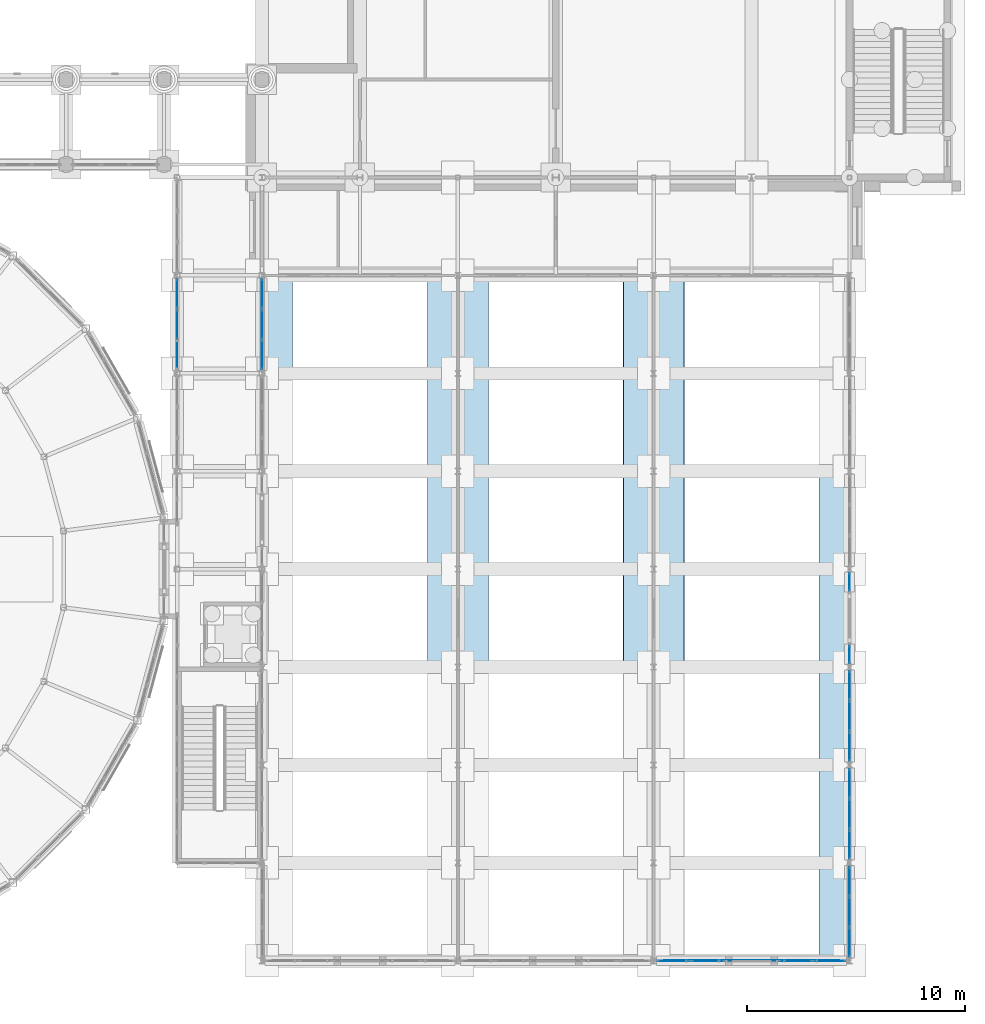
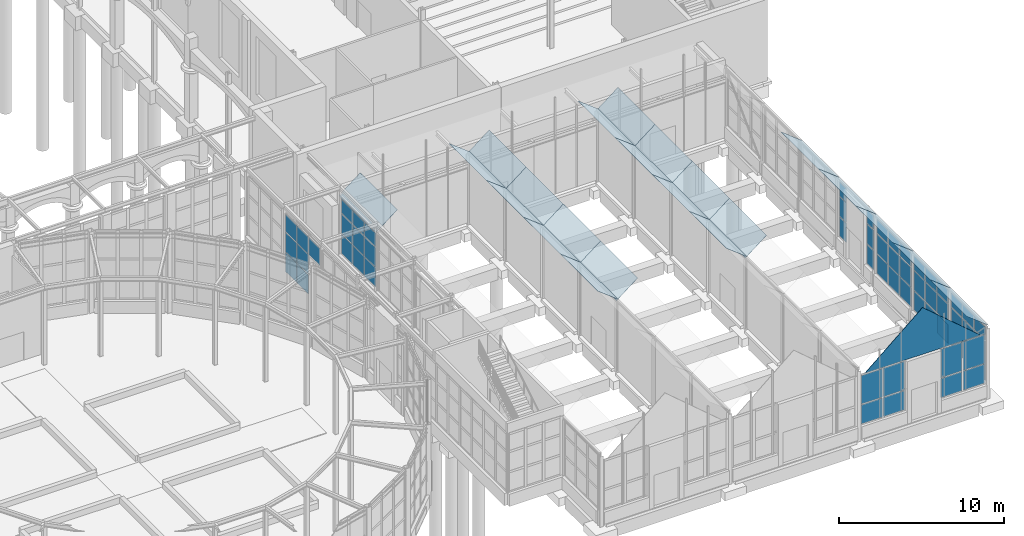
# One storey, part 64 of 106: 80 plates, 9 elements without a shape of their own.
"""IFC4 building model written with IfcOpenShell, lengths in metres."""

from ifc_helpers import new_model, si_unit, direction, frame, origin, origin_2d, place, context, subcontext, project, spatial, polyline, rectangle, outline, extrude, material, layer, layer_set, type_object, element, aggregate, save


model = new_model("IFC4")

# Units and contexts
model_context = context("Model", 3, precision=1e-05, world=origin(), true_north=direction((0.0, 1.0)))
body_context = subcontext(model_context, "Body", "Model", "MODEL_VIEW")
ifc_project = project(units=[si_unit("LENGTHUNIT", "METRE"), si_unit("AREAUNIT", "SQUARE_METRE"), si_unit("VOLUMEUNIT", "CUBIC_METRE"), si_unit("PLANEANGLEUNIT", "RADIAN"), si_unit("MASSUNIT", "GRAM", prefix="KILO")], contexts=[model_context])

# Site, building, storey
site_placement = place(None, origin())
site = spatial("IfcSite", under=ifc_project, at=site_placement, CompositionType="ELEMENT")
building_placement = place(site_placement, origin())
building = spatial("IfcBuilding", under=site, at=building_placement, Name="Hortulan Conservatory and Botanical Research Centre", CompositionType="ELEMENT")
storey_placement = place(building_placement, origin())
storey = spatial("IfcBuildingStorey", under=building, at=storey_placement, Name="L00", CompositionType="ELEMENT", Elevation=0.0)

# Plates
ifc_material_1 = material(Name="Verdigris copper-green zinc sheet on timber decking", Category="wood")
ifc_layer_1 = layer(ifc_material_1, 0.011962890625)
ifc_layer_set_1 = layer_set([ifc_layer_1], Name="Climate House End Bay Zinc Roof Panel 12")
plate_type_1 = type_object("IfcPlateType", Name="Climate House End Bay Zinc Roof Panel 12", PredefinedType="SHEET", material=ifc_layer_set_1)
for number, where, z_axis, x_axis, name in (
    (1, (76.39794921875, 27.0, 5.131103515625), (-0.613967295793, 0.0, 0.789331463769), (0.789331463769, 0.0, 0.613967295793), "Climate house end bay roof panel"),
    (2, (85.60205078125, 31.5, 5.131103515625), (0.613967295793, 0.0, 0.789331463769), (-0.789331463769, 0.0, 0.613967295793), "Climate house end bay roof panel"),
    (3, (85.39794921875, 27.0, 5.131103515625), (-0.613967295793, 0.0, 0.789331463769), (0.789331463769, 0.0, 0.613967295793), "Climate house end bay roof panel"),
    (4, (94.60205078125, 31.5, 5.131103515625), (0.613967295793, 0.0, 0.789331463769), (-0.789331463769, 0.0, 0.613967295793), "Climate house end bay roof panel"),
    (5, (94.39794921875, 27.0, 5.131103515625), (-0.613967295793, 0.0, 0.789331463769), (0.789331463769, 0.0, 0.613967295793), "Climate house end bay roof panel"),
    (6, (103.60205078125, 4.5, 5.131103515625), (0.613967295793, 0.0, 0.789331463769), (-0.789331463769, 0.0, 0.613967295793), "Climate house end bay roof panel"),
):
    element("IfcPlate", number, at=place(storey_placement, frame(where, z_axis=z_axis, x_axis=x_axis)), inside=storey, type_object=plate_type_1, Name=name, PredefinedType="SHEET", context=body_context, shape_type="SweptSolid", body=[
        extrude(outline(polyline([(0.0, 0.0), (1.9003423388659808, 0.0), (1.9003423388659808, 4.5), (0.0, 4.5), (0.0, 0.0)])), origin(), (0.0, 0.0, -1.0), 0.011962890625),
    ])
ifc_material_2 = material(Name="Low-e laminated glass", Category="glass")
ifc_layer_2 = layer(ifc_material_2, 0.028076171875)
ifc_layer_set_2 = layer_set([ifc_layer_2], Name="Gable Glazing Panel 28 (laminated)")
plate_type_2 = type_object("IfcPlateType", Name="Gable Glazing Panel 28 (laminated)", PredefinedType="SHEET", material=ifc_layer_set_2)
plate_1_placement = place(storey_placement, frame((94.949951171875, 0.0, 4.60009765625), z_axis=(0.0, -1.0, 0.0), x_axis=(1.0, 0.0, 0.0)))
element("IfcPlate", 7, at=plate_1_placement, inside=storey, type_object=plate_type_2, Name="Gable glazing", PredefinedType="SHEET", context=body_context, shape_type="SweptSolid", body=[
    extrude(outline(polyline([(0.0, 0.0), (8.10009765625, 0.0), (4.050048828125, 3.449951171875), (0.0, 0.0)])), origin(), (0.0, 0.0, -1.0), 0.028076171875),
])
ifc_layer_3 = layer(ifc_material_2, 0.011962890625)
ifc_layer_set_3 = layer_set([ifc_layer_3], Name="Glasshouse Roof Glazing Panel 12")
plate_type_3 = type_object("IfcPlateType", Name="Glasshouse Roof Glazing Panel 12", PredefinedType="SHEET", material=ifc_layer_set_3)
for number, where, z_axis, x_axis, name in (
    (8, (85.60205078125, 18.0, 5.131103515625), (0.613967295793, 0.0, 0.789331463769), (-0.789331463769, 0.0, 0.613967295793), "Glasshouse roof panel"),
    (9, (85.60205078125, 22.5, 5.131103515625), (0.613967295793, 0.0, 0.789331463769), (-0.789331463769, 0.0, 0.613967295793), "Glasshouse roof panel"),
    (10, (85.60205078125, 27.0, 5.131103515625), (0.613967295793, 0.0, 0.789331463769), (-0.789331463769, 0.0, 0.613967295793), "Glasshouse roof panel"),
    (11, (85.39794921875, 13.5, 5.131103515625), (-0.613967295793, 0.0, 0.789331463769), (0.789331463769, 0.0, 0.613967295793), "Glasshouse roof panel"),
    (12, (85.39794921875, 18.0, 5.131103515625), (-0.613967295793, 0.0, 0.789331463769), (0.789331463769, 0.0, 0.613967295793), "Glasshouse roof panel"),
    (13, (85.39794921875, 22.5, 5.131103515625), (-0.613967295793, 0.0, 0.789331463769), (0.789331463769, 0.0, 0.613967295793), "Glasshouse roof panel"),
    (14, (94.60205078125, 18.0, 5.131103515625), (0.613967295793, 0.0, 0.789331463769), (-0.789331463769, 0.0, 0.613967295793), "Glasshouse roof panel"),
    (15, (94.60205078125, 22.5, 5.131103515625), (0.613967295793, 0.0, 0.789331463769), (-0.789331463769, 0.0, 0.613967295793), "Glasshouse roof panel"),
    (16, (94.60205078125, 27.0, 5.131103515625), (0.613967295793, 0.0, 0.789331463769), (-0.789331463769, 0.0, 0.613967295793), "Glasshouse roof panel"),
    (17, (94.39794921875, 13.5, 5.131103515625), (-0.613967295793, 0.0, 0.789331463769), (0.789331463769, 0.0, 0.613967295793), "Glasshouse roof panel"),
    (18, (94.39794921875, 18.0, 5.131103515625), (-0.613967295793, 0.0, 0.789331463769), (0.789331463769, 0.0, 0.613967295793), "Glasshouse roof panel"),
    (19, (94.39794921875, 22.5, 5.131103515625), (-0.613967295793, 0.0, 0.789331463769), (0.789331463769, 0.0, 0.613967295793), "Glasshouse roof panel"),
    (20, (103.60205078125, 9.0, 5.131103515625), (0.613967295793, 0.0, 0.789331463769), (-0.789331463769, 0.0, 0.613967295793), "Glasshouse roof panel"),
    (21, (103.60205078125, 13.5, 5.131103515625), (0.613967295793, 0.0, 0.789331463769), (-0.789331463769, 0.0, 0.613967295793), "Glasshouse roof panel"),
    (22, (103.60205078125, 18.0, 5.131103515625), (0.613967295793, 0.0, 0.789331463769), (-0.789331463769, 0.0, 0.613967295793), "Glasshouse roof panel"),
    (23, (103.60205078125, 22.5, 5.131103515625), (0.613967295793, 0.0, 0.789331463769), (-0.789331463769, 0.0, 0.613967295793), "Glasshouse roof panel"),
):
    element("IfcPlate", number, at=place(storey_placement, frame(where, z_axis=z_axis, x_axis=x_axis)), inside=storey, type_object=plate_type_3, Name=name, PredefinedType="SHEET", context=body_context, shape_type="SweptSolid", body=[
        extrude(outline(polyline([(0.0, 0.0), (1.9003423388659808, 0.0), (1.9003423388659808, 4.5), (0.0, 4.5), (0.0, 0.0)])), origin(), (0.0, 0.0, -1.0), 0.011962890625),
    ])

# Curtain wall, plates
ifc_material_3 = material(Name="Bronze-finished aluminium", Category="aluminium")
ifc_layer_4 = layer(ifc_material_3, 0.10009765625)
ifc_layer_set_4 = layer_set([ifc_layer_4], Name="Bronze-framed Curtain Wall 1500 module")
curtain_wall_type = type_object("IfcCurtainWallType", Name="Bronze-framed Curtain Wall 1500 module", PredefinedType="NOTDEFINED", material=ifc_layer_set_4)
curtain_wall_1_placement = place(storey_placement, origin())
curtain_wall_1 = element("IfcCurtainWall", 24, at=curtain_wall_1_placement, inside=storey, type_object=curtain_wall_type, Name="Curtain wall", PredefinedType="NOTDEFINED")
ifc_layer_5 = layer(ifc_material_2, 0.028076171875)
ifc_layer_set_5 = layer_set([ifc_layer_5], Name="Laminated Glass Panel 28")
plate_type_4 = type_object("IfcPlateType", Name="Laminated Glass Panel 28", PredefinedType="CURTAIN_PANEL", material=ifc_layer_set_5)
plate_2_placement = place(storey_placement, frame((72.60009765625, 27.848388671875, 3.929931640625), z_axis=(0.0, 0.0, 1.0), x_axis=(0.0, 1.0, 0.0)))
plate_2 = element("IfcPlate", 25, at=plate_2_placement, type_object=plate_type_4, Name="CW1 panel 1.3", PredefinedType="CURTAIN_PANEL", context=body_context, shape_type="SweptSolid", body=[
    extrude(rectangle(XDim=1.32666015625, YDim=0.028076171875, at=origin_2d()), origin(), (0.0, 0.0, 1.0), 1.25),
])
plate_3_placement = place(storey_placement, frame((72.60009765625, 29.25, 0.9599609375), z_axis=(0.0, 0.0, 1.0), x_axis=(0.0, 1.0, 0.0)))
plate_3 = element("IfcPlate", 26, at=plate_3_placement, type_object=plate_type_4, Name="CW1 panel 2.1", PredefinedType="CURTAIN_PANEL", context=body_context, shape_type="SweptSolid", body=[
    extrude(rectangle(XDim=1.356689453125, YDim=0.028076171875, at=origin_2d()), origin(), (0.0, 0.0, 1.0), 1.409912109375),
])
plate_4_placement = place(storey_placement, frame((72.60009765625, 29.25, 2.429931640625), z_axis=(0.0, 0.0, 1.0), x_axis=(0.0, 1.0, 0.0)))
plate_4 = element("IfcPlate", 27, at=plate_4_placement, type_object=plate_type_4, Name="CW1 panel 2.2", PredefinedType="CURTAIN_PANEL", context=body_context, shape_type="SweptSolid", body=[
    extrude(rectangle(XDim=1.356689453125, YDim=0.028076171875, at=origin_2d()), origin(), (0.0, 0.0, 1.0), 1.43994140625),
])
plate_5_placement = place(storey_placement, frame((72.60009765625, 29.25, 3.929931640625), z_axis=(0.0, 0.0, 1.0), x_axis=(0.0, 1.0, 0.0)))
plate_5 = element("IfcPlate", 28, at=plate_5_placement, type_object=plate_type_4, Name="CW1 panel 2.3", PredefinedType="CURTAIN_PANEL", context=body_context, shape_type="SweptSolid", body=[
    extrude(rectangle(XDim=1.356689453125, YDim=0.028076171875, at=origin_2d()), origin(), (0.0, 0.0, 1.0), 1.25),
])
plate_6_placement = place(storey_placement, frame((72.60009765625, 30.651611328125, 0.9599609375), z_axis=(0.0, 0.0, 1.0), x_axis=(0.0, 1.0, 0.0)))
plate_6 = element("IfcPlate", 29, at=plate_6_placement, type_object=plate_type_4, Name="CW1 panel 3.1", PredefinedType="CURTAIN_PANEL", context=body_context, shape_type="SweptSolid", body=[
    extrude(rectangle(XDim=1.32666015625, YDim=0.028076171875, at=origin_2d()), origin(), (0.0, 0.0, 1.0), 1.409912109375),
])
plate_7_placement = place(storey_placement, frame((72.60009765625, 30.651611328125, 2.429931640625), z_axis=(0.0, 0.0, 1.0), x_axis=(0.0, 1.0, 0.0)))
plate_7 = element("IfcPlate", 30, at=plate_7_placement, type_object=plate_type_4, Name="CW1 panel 3.2", PredefinedType="CURTAIN_PANEL", context=body_context, shape_type="SweptSolid", body=[
    extrude(rectangle(XDim=1.32666015625, YDim=0.028076171875, at=origin_2d()), origin(), (0.0, 0.0, 1.0), 1.43994140625),
])
plate_8_placement = place(storey_placement, frame((72.60009765625, 30.651611328125, 3.929931640625), z_axis=(0.0, 0.0, 1.0), x_axis=(0.0, 1.0, 0.0)))
plate_8 = element("IfcPlate", 31, at=plate_8_placement, type_object=plate_type_4, Name="CW1 panel 3.3", PredefinedType="CURTAIN_PANEL", context=body_context, shape_type="SweptSolid", body=[
    extrude(rectangle(XDim=1.32666015625, YDim=0.028076171875, at=origin_2d()), origin(), (0.0, 0.0, 1.0), 1.25),
])
aggregate(curtain_wall_1, [plate_2, plate_3, plate_4, plate_5, plate_6, plate_7, plate_8])

curtain_wall_2_placement = place(storey_placement, origin())
curtain_wall_2 = element("IfcCurtainWall", 32, at=curtain_wall_2_placement, inside=storey, type_object=curtain_wall_type, Name="Curtain wall", PredefinedType="NOTDEFINED")
plate_9_placement = place(storey_placement, frame((102.564697265625, 0.0, 0.9599609375), z_axis=(0.0, 0.0, 1.0), x_axis=(-1.0, 0.0, 0.0)))
plate_9 = element("IfcPlate", 33, at=plate_9_placement, type_object=plate_type_4, Name="CW1 panel 1.1", PredefinedType="CURTAIN_PANEL", context=body_context, shape_type="SweptSolid", body=[
    extrude(rectangle(XDim=1.49658203125, YDim=0.028076171875, at=origin_2d()), origin(), (0.0, 0.0, 1.0), 1.409912109375),
])
plate_10_placement = place(storey_placement, frame((102.564697265625, 0.0, 2.43017578125), z_axis=(0.0, 0.0, 1.0), x_axis=(-1.0, 0.0, 0.0)))
plate_10 = element("IfcPlate", 34, at=plate_10_placement, type_object=plate_type_4, Name="CW1 panel 1.2", PredefinedType="CURTAIN_PANEL", context=body_context, shape_type="SweptSolid", body=[
    extrude(rectangle(XDim=1.49658203125, YDim=0.028076171875, at=origin_2d()), origin(), (0.0, 0.0, 1.0), 2.110107421875),
])
plate_11_placement = place(storey_placement, frame((101.00830078125, 0.0, 0.9599609375), z_axis=(0.0, 0.0, 1.0), x_axis=(-1.0, 0.0, 0.0)))
plate_11 = element("IfcPlate", 35, at=plate_11_placement, type_object=plate_type_4, Name="CW1 panel 2.1", PredefinedType="CURTAIN_PANEL", context=body_context, shape_type="SweptSolid", body=[
    extrude(rectangle(XDim=1.49658203125, YDim=0.028076171875, at=origin_2d()), origin(), (0.0, 0.0, 1.0), 1.409912109375),
])
plate_12_placement = place(storey_placement, frame((101.00830078125, 0.0, 2.43017578125), z_axis=(0.0, 0.0, 1.0), x_axis=(-1.0, 0.0, 0.0)))
plate_12 = element("IfcPlate", 36, at=plate_12_placement, type_object=plate_type_4, Name="CW1 panel 2.2", PredefinedType="CURTAIN_PANEL", context=body_context, shape_type="SweptSolid", body=[
    extrude(rectangle(XDim=1.49658203125, YDim=0.028076171875, at=origin_2d()), origin(), (0.0, 0.0, 1.0), 2.110107421875),
])
aggregate(curtain_wall_2, [plate_9, plate_10, plate_11, plate_12])

curtain_wall_3_placement = place(storey_placement, origin())
curtain_wall_3 = element("IfcCurtainWall", 37, at=curtain_wall_3_placement, inside=storey, type_object=curtain_wall_type, Name="Curtain wall", PredefinedType="NOTDEFINED")
plate_13_placement = place(storey_placement, frame((96.99169921875, 0.0, 0.9599609375), z_axis=(0.0, 0.0, 1.0), x_axis=(-1.0, 0.0, 0.0)))
plate_13 = element("IfcPlate", 38, at=plate_13_placement, type_object=plate_type_4, Name="CW1 panel 1.1", PredefinedType="CURTAIN_PANEL", context=body_context, shape_type="SweptSolid", body=[
    extrude(rectangle(XDim=1.49658203125, YDim=0.028076171875, at=origin_2d()), origin(), (0.0, 0.0, 1.0), 1.409912109375),
])
plate_14_placement = place(storey_placement, frame((96.99169921875, 0.0, 2.43017578125), z_axis=(0.0, 0.0, 1.0), x_axis=(-1.0, 0.0, 0.0)))
plate_14 = element("IfcPlate", 39, at=plate_14_placement, type_object=plate_type_4, Name="CW1 panel 1.2", PredefinedType="CURTAIN_PANEL", context=body_context, shape_type="SweptSolid", body=[
    extrude(rectangle(XDim=1.49658203125, YDim=0.028076171875, at=origin_2d()), origin(), (0.0, 0.0, 1.0), 2.110107421875),
])
plate_15_placement = place(storey_placement, frame((95.435302734375, 0.0, 0.9599609375), z_axis=(0.0, 0.0, 1.0), x_axis=(-1.0, 0.0, 0.0)))
plate_15 = element("IfcPlate", 40, at=plate_15_placement, type_object=plate_type_4, Name="CW1 panel 2.1", PredefinedType="CURTAIN_PANEL", context=body_context, shape_type="SweptSolid", body=[
    extrude(rectangle(XDim=1.49658203125, YDim=0.028076171875, at=origin_2d()), origin(), (0.0, 0.0, 1.0), 1.409912109375),
])
plate_16_placement = place(storey_placement, frame((95.435302734375, 0.0, 2.43017578125), z_axis=(0.0, 0.0, 1.0), x_axis=(-1.0, 0.0, 0.0)))
plate_16 = element("IfcPlate", 41, at=plate_16_placement, type_object=plate_type_4, Name="CW1 panel 2.2", PredefinedType="CURTAIN_PANEL", context=body_context, shape_type="SweptSolid", body=[
    extrude(rectangle(XDim=1.49658203125, YDim=0.028076171875, at=origin_2d()), origin(), (0.0, 0.0, 1.0), 2.110107421875),
])
aggregate(curtain_wall_3, [plate_13, plate_14, plate_15, plate_16])

curtain_wall_4_placement = place(storey_placement, origin())
curtain_wall_4 = element("IfcCurtainWall", 42, at=curtain_wall_4_placement, inside=storey, type_object=curtain_wall_type, Name="Curtain wall", PredefinedType="NOTDEFINED")
plate_17_placement = place(storey_placement, frame((76.5, 30.651611328125, 0.9599609375), z_axis=(0.0, 0.0, 1.0), x_axis=(0.0, -1.0, 0.0)))
plate_17 = element("IfcPlate", 43, at=plate_17_placement, type_object=plate_type_4, Name="CW1 panel 1.1", PredefinedType="CURTAIN_PANEL", context=body_context, shape_type="SweptSolid", body=[
    extrude(rectangle(XDim=1.32666015625, YDim=0.028076171875, at=origin_2d()), origin(), (0.0, 0.0, 1.0), 1.409912109375),
])
plate_18_placement = place(storey_placement, frame((76.5, 30.651611328125, 2.429931640625), z_axis=(0.0, 0.0, 1.0), x_axis=(0.0, -1.0, 0.0)))
plate_18 = element("IfcPlate", 44, at=plate_18_placement, type_object=plate_type_4, Name="CW1 panel 1.2", PredefinedType="CURTAIN_PANEL", context=body_context, shape_type="SweptSolid", body=[
    extrude(rectangle(XDim=1.32666015625, YDim=0.028076171875, at=origin_2d()), origin(), (0.0, 0.0, 1.0), 1.43994140625),
])
plate_19_placement = place(storey_placement, frame((76.5, 30.651611328125, 3.93017578125), z_axis=(0.0, 0.0, 1.0), x_axis=(0.0, -1.0, 0.0)))
plate_19 = element("IfcPlate", 45, at=plate_19_placement, type_object=plate_type_4, Name="CW1 panel 1.3", PredefinedType="CURTAIN_PANEL", context=body_context, shape_type="SweptSolid", body=[
    extrude(rectangle(XDim=1.32666015625, YDim=0.028076171875, at=origin_2d()), origin(), (0.0, 0.0, 1.0), 1.010009765625),
])
plate_20_placement = place(storey_placement, frame((76.5, 29.25, 0.9599609375), z_axis=(0.0, 0.0, 1.0), x_axis=(0.0, -1.0, 0.0)))
plate_20 = element("IfcPlate", 46, at=plate_20_placement, type_object=plate_type_4, Name="CW1 panel 2.1", PredefinedType="CURTAIN_PANEL", context=body_context, shape_type="SweptSolid", body=[
    extrude(rectangle(XDim=1.356689453125, YDim=0.028076171875, at=origin_2d()), origin(), (0.0, 0.0, 1.0), 1.409912109375),
])
plate_21_placement = place(storey_placement, frame((76.5, 29.25, 2.429931640625), z_axis=(0.0, 0.0, 1.0), x_axis=(0.0, -1.0, 0.0)))
plate_21 = element("IfcPlate", 47, at=plate_21_placement, type_object=plate_type_4, Name="CW1 panel 2.2", PredefinedType="CURTAIN_PANEL", context=body_context, shape_type="SweptSolid", body=[
    extrude(rectangle(XDim=1.356689453125, YDim=0.028076171875, at=origin_2d()), origin(), (0.0, 0.0, 1.0), 1.43994140625),
])
plate_22_placement = place(storey_placement, frame((76.5, 29.25, 3.93017578125), z_axis=(0.0, 0.0, 1.0), x_axis=(0.0, -1.0, 0.0)))
plate_22 = element("IfcPlate", 48, at=plate_22_placement, type_object=plate_type_4, Name="CW1 panel 2.3", PredefinedType="CURTAIN_PANEL", context=body_context, shape_type="SweptSolid", body=[
    extrude(rectangle(XDim=1.356689453125, YDim=0.028076171875, at=origin_2d()), origin(), (0.0, 0.0, 1.0), 1.010009765625),
])
plate_23_placement = place(storey_placement, frame((76.5, 27.848388671875, 0.9599609375), z_axis=(0.0, 0.0, 1.0), x_axis=(0.0, -1.0, 0.0)))
plate_23 = element("IfcPlate", 49, at=plate_23_placement, type_object=plate_type_4, Name="CW1 panel 3.1", PredefinedType="CURTAIN_PANEL", context=body_context, shape_type="SweptSolid", body=[
    extrude(rectangle(XDim=1.32666015625, YDim=0.028076171875, at=origin_2d()), origin(), (0.0, 0.0, 1.0), 1.409912109375),
])
plate_24_placement = place(storey_placement, frame((76.5, 27.848388671875, 2.429931640625), z_axis=(0.0, 0.0, 1.0), x_axis=(0.0, -1.0, 0.0)))
plate_24 = element("IfcPlate", 50, at=plate_24_placement, type_object=plate_type_4, Name="CW1 panel 3.2", PredefinedType="CURTAIN_PANEL", context=body_context, shape_type="SweptSolid", body=[
    extrude(rectangle(XDim=1.32666015625, YDim=0.028076171875, at=origin_2d()), origin(), (0.0, 0.0, 1.0), 1.43994140625),
])
plate_25_placement = place(storey_placement, frame((76.5, 27.848388671875, 3.93017578125), z_axis=(0.0, 0.0, 1.0), x_axis=(0.0, -1.0, 0.0)))
plate_25 = element("IfcPlate", 51, at=plate_25_placement, type_object=plate_type_4, Name="CW1 panel 3.3", PredefinedType="CURTAIN_PANEL", context=body_context, shape_type="SweptSolid", body=[
    extrude(rectangle(XDim=1.32666015625, YDim=0.028076171875, at=origin_2d()), origin(), (0.0, 0.0, 1.0), 1.010009765625),
])
aggregate(curtain_wall_4, [plate_17, plate_18, plate_19, plate_20, plate_21, plate_22, plate_23, plate_24, plate_25])

curtain_wall_5_placement = place(storey_placement, origin())
curtain_wall_5 = element("IfcCurtainWall", 52, at=curtain_wall_5_placement, inside=storey, type_object=curtain_wall_type, Name="Curtain wall", PredefinedType="NOTDEFINED")
plate_26_placement = place(storey_placement, frame((103.5, 0.849609375, 0.9599609375), z_axis=(0.0, 0.0, 1.0), x_axis=(0.0, 1.0, 0.0)))
plate_26 = element("IfcPlate", 53, at=plate_26_placement, type_object=plate_type_4, Name="CW1 panel 1.1", PredefinedType="CURTAIN_PANEL", context=body_context, shape_type="SweptSolid", body=[
    extrude(rectangle(XDim=1.325439453125, YDim=0.028076171875, at=origin_2d()), origin(), (0.0, 0.0, 1.0), 1.409912109375),
])
plate_27_placement = place(storey_placement, frame((103.5, 0.849609375, 2.429931640625), z_axis=(0.0, 0.0, 1.0), x_axis=(0.0, 1.0, 0.0)))
plate_27 = element("IfcPlate", 54, at=plate_27_placement, type_object=plate_type_4, Name="CW1 panel 1.2", PredefinedType="CURTAIN_PANEL", context=body_context, shape_type="SweptSolid", body=[
    extrude(rectangle(XDim=1.325439453125, YDim=0.028076171875, at=origin_2d()), origin(), (0.0, 0.0, 1.0), 1.43994140625),
])
plate_28_placement = place(storey_placement, frame((103.5, 0.849609375, 3.93017578125), z_axis=(0.0, 0.0, 1.0), x_axis=(0.0, 1.0, 0.0)))
plate_28 = element("IfcPlate", 55, at=plate_28_placement, type_object=plate_type_4, Name="CW1 panel 1.3", PredefinedType="CURTAIN_PANEL", context=body_context, shape_type="SweptSolid", body=[
    extrude(rectangle(XDim=1.325439453125, YDim=0.028076171875, at=origin_2d()), origin(), (0.0, 0.0, 1.0), 1.010009765625),
])
plate_29_placement = place(storey_placement, frame((103.5, 2.25, 0.9599609375), z_axis=(0.0, 0.0, 1.0), x_axis=(0.0, 1.0, 0.0)))
plate_29 = element("IfcPlate", 56, at=plate_29_placement, type_object=plate_type_4, Name="CW1 panel 2.1", PredefinedType="CURTAIN_PANEL", context=body_context, shape_type="SweptSolid", body=[
    extrude(rectangle(XDim=1.355224609375, YDim=0.028076171875, at=origin_2d()), origin(), (0.0, 0.0, 1.0), 1.409912109375),
])
plate_30_placement = place(storey_placement, frame((103.5, 2.25, 2.429931640625), z_axis=(0.0, 0.0, 1.0), x_axis=(0.0, 1.0, 0.0)))
plate_30 = element("IfcPlate", 57, at=plate_30_placement, type_object=plate_type_4, Name="CW1 panel 2.2", PredefinedType="CURTAIN_PANEL", context=body_context, shape_type="SweptSolid", body=[
    extrude(rectangle(XDim=1.355224609375, YDim=0.028076171875, at=origin_2d()), origin(), (0.0, 0.0, 1.0), 1.43994140625),
])
plate_31_placement = place(storey_placement, frame((103.5, 2.25, 3.93017578125), z_axis=(0.0, 0.0, 1.0), x_axis=(0.0, 1.0, 0.0)))
plate_31 = element("IfcPlate", 58, at=plate_31_placement, type_object=plate_type_4, Name="CW1 panel 2.3", PredefinedType="CURTAIN_PANEL", context=body_context, shape_type="SweptSolid", body=[
    extrude(rectangle(XDim=1.355224609375, YDim=0.028076171875, at=origin_2d()), origin(), (0.0, 0.0, 1.0), 1.010009765625),
])
plate_32_placement = place(storey_placement, frame((103.5, 3.650390625, 0.9599609375), z_axis=(0.0, 0.0, 1.0), x_axis=(0.0, 1.0, 0.0)))
plate_32 = element("IfcPlate", 59, at=plate_32_placement, type_object=plate_type_4, Name="CW1 panel 3.1", PredefinedType="CURTAIN_PANEL", context=body_context, shape_type="SweptSolid", body=[
    extrude(rectangle(XDim=1.325439453125, YDim=0.028076171875, at=origin_2d()), origin(), (0.0, 0.0, 1.0), 1.409912109375),
])
plate_33_placement = place(storey_placement, frame((103.5, 3.650390625, 2.429931640625), z_axis=(0.0, 0.0, 1.0), x_axis=(0.0, 1.0, 0.0)))
plate_33 = element("IfcPlate", 60, at=plate_33_placement, type_object=plate_type_4, Name="CW1 panel 3.2", PredefinedType="CURTAIN_PANEL", context=body_context, shape_type="SweptSolid", body=[
    extrude(rectangle(XDim=1.325439453125, YDim=0.028076171875, at=origin_2d()), origin(), (0.0, 0.0, 1.0), 1.43994140625),
])
plate_34_placement = place(storey_placement, frame((103.5, 3.650390625, 3.93017578125), z_axis=(0.0, 0.0, 1.0), x_axis=(0.0, 1.0, 0.0)))
plate_34 = element("IfcPlate", 61, at=plate_34_placement, type_object=plate_type_4, Name="CW1 panel 3.3", PredefinedType="CURTAIN_PANEL", context=body_context, shape_type="SweptSolid", body=[
    extrude(rectangle(XDim=1.325439453125, YDim=0.028076171875, at=origin_2d()), origin(), (0.0, 0.0, 1.0), 1.010009765625),
])
aggregate(curtain_wall_5, [plate_26, plate_27, plate_28, plate_29, plate_30, plate_31, plate_32, plate_33, plate_34])

curtain_wall_6_placement = place(storey_placement, origin())
curtain_wall_6 = element("IfcCurtainWall", 62, at=curtain_wall_6_placement, inside=storey, type_object=curtain_wall_type, Name="Curtain wall", PredefinedType="NOTDEFINED")
plate_35_placement = place(storey_placement, frame((103.5, 5.349609375, 0.9599609375), z_axis=(0.0, 0.0, 1.0), x_axis=(0.0, 1.0, 0.0)))
plate_35 = element("IfcPlate", 63, at=plate_35_placement, type_object=plate_type_4, Name="CW1 panel 1.1", PredefinedType="CURTAIN_PANEL", context=body_context, shape_type="SweptSolid", body=[
    extrude(rectangle(XDim=1.325439453125, YDim=0.028076171875, at=origin_2d()), origin(), (0.0, 0.0, 1.0), 1.409912109375),
])
plate_36_placement = place(storey_placement, frame((103.5, 5.349609375, 2.429931640625), z_axis=(0.0, 0.0, 1.0), x_axis=(0.0, 1.0, 0.0)))
plate_36 = element("IfcPlate", 64, at=plate_36_placement, type_object=plate_type_4, Name="CW1 panel 1.2", PredefinedType="CURTAIN_PANEL", context=body_context, shape_type="SweptSolid", body=[
    extrude(rectangle(XDim=1.325439453125, YDim=0.028076171875, at=origin_2d()), origin(), (0.0, 0.0, 1.0), 1.43994140625),
])
plate_37_placement = place(storey_placement, frame((103.5, 5.349609375, 3.93017578125), z_axis=(0.0, 0.0, 1.0), x_axis=(0.0, 1.0, 0.0)))
plate_37 = element("IfcPlate", 65, at=plate_37_placement, type_object=plate_type_4, Name="CW1 panel 1.3", PredefinedType="CURTAIN_PANEL", context=body_context, shape_type="SweptSolid", body=[
    extrude(rectangle(XDim=1.325439453125, YDim=0.028076171875, at=origin_2d()), origin(), (0.0, 0.0, 1.0), 1.010009765625),
])
plate_38_placement = place(storey_placement, frame((103.5, 6.75, 0.9599609375), z_axis=(0.0, 0.0, 1.0), x_axis=(0.0, 1.0, 0.0)))
plate_38 = element("IfcPlate", 66, at=plate_38_placement, type_object=plate_type_4, Name="CW1 panel 2.1", PredefinedType="CURTAIN_PANEL", context=body_context, shape_type="SweptSolid", body=[
    extrude(rectangle(XDim=1.355224609375, YDim=0.028076171875, at=origin_2d()), origin(), (0.0, 0.0, 1.0), 1.409912109375),
])
plate_39_placement = place(storey_placement, frame((103.5, 6.75, 2.429931640625), z_axis=(0.0, 0.0, 1.0), x_axis=(0.0, 1.0, 0.0)))
plate_39 = element("IfcPlate", 67, at=plate_39_placement, type_object=plate_type_4, Name="CW1 panel 2.2", PredefinedType="CURTAIN_PANEL", context=body_context, shape_type="SweptSolid", body=[
    extrude(rectangle(XDim=1.355224609375, YDim=0.028076171875, at=origin_2d()), origin(), (0.0, 0.0, 1.0), 1.43994140625),
])
plate_40_placement = place(storey_placement, frame((103.5, 6.75, 3.93017578125), z_axis=(0.0, 0.0, 1.0), x_axis=(0.0, 1.0, 0.0)))
plate_40 = element("IfcPlate", 68, at=plate_40_placement, type_object=plate_type_4, Name="CW1 panel 2.3", PredefinedType="CURTAIN_PANEL", context=body_context, shape_type="SweptSolid", body=[
    extrude(rectangle(XDim=1.355224609375, YDim=0.028076171875, at=origin_2d()), origin(), (0.0, 0.0, 1.0), 1.010009765625),
])
plate_41_placement = place(storey_placement, frame((103.5, 8.150390625, 0.9599609375), z_axis=(0.0, 0.0, 1.0), x_axis=(0.0, 1.0, 0.0)))
plate_41 = element("IfcPlate", 69, at=plate_41_placement, type_object=plate_type_4, Name="CW1 panel 3.1", PredefinedType="CURTAIN_PANEL", context=body_context, shape_type="SweptSolid", body=[
    extrude(rectangle(XDim=1.325439453125, YDim=0.028076171875, at=origin_2d()), origin(), (0.0, 0.0, 1.0), 1.409912109375),
])
plate_42_placement = place(storey_placement, frame((103.5, 8.150390625, 2.429931640625), z_axis=(0.0, 0.0, 1.0), x_axis=(0.0, 1.0, 0.0)))
plate_42 = element("IfcPlate", 70, at=plate_42_placement, type_object=plate_type_4, Name="CW1 panel 3.2", PredefinedType="CURTAIN_PANEL", context=body_context, shape_type="SweptSolid", body=[
    extrude(rectangle(XDim=1.325439453125, YDim=0.028076171875, at=origin_2d()), origin(), (0.0, 0.0, 1.0), 1.43994140625),
])
plate_43_placement = place(storey_placement, frame((103.5, 8.150390625, 3.93017578125), z_axis=(0.0, 0.0, 1.0), x_axis=(0.0, 1.0, 0.0)))
plate_43 = element("IfcPlate", 71, at=plate_43_placement, type_object=plate_type_4, Name="CW1 panel 3.3", PredefinedType="CURTAIN_PANEL", context=body_context, shape_type="SweptSolid", body=[
    extrude(rectangle(XDim=1.325439453125, YDim=0.028076171875, at=origin_2d()), origin(), (0.0, 0.0, 1.0), 1.010009765625),
])
aggregate(curtain_wall_6, [plate_35, plate_36, plate_37, plate_38, plate_39, plate_40, plate_41, plate_42, plate_43])

curtain_wall_7_placement = place(storey_placement, origin())
curtain_wall_7 = element("IfcCurtainWall", 72, at=curtain_wall_7_placement, inside=storey, type_object=curtain_wall_type, Name="Curtain wall", PredefinedType="NOTDEFINED")
plate_44_placement = place(storey_placement, frame((103.5, 9.849609375, 0.9599609375), z_axis=(0.0, 0.0, 1.0), x_axis=(0.0, 1.0, 0.0)))
plate_44 = element("IfcPlate", 73, at=plate_44_placement, type_object=plate_type_4, Name="CW1 panel 1.1", PredefinedType="CURTAIN_PANEL", context=body_context, shape_type="SweptSolid", body=[
    extrude(rectangle(XDim=1.325439453125, YDim=0.028076171875, at=origin_2d()), origin(), (0.0, 0.0, 1.0), 1.409912109375),
])
plate_45_placement = place(storey_placement, frame((103.5, 9.849609375, 2.429931640625), z_axis=(0.0, 0.0, 1.0), x_axis=(0.0, 1.0, 0.0)))
plate_45 = element("IfcPlate", 74, at=plate_45_placement, type_object=plate_type_4, Name="CW1 panel 1.2", PredefinedType="CURTAIN_PANEL", context=body_context, shape_type="SweptSolid", body=[
    extrude(rectangle(XDim=1.325439453125, YDim=0.028076171875, at=origin_2d()), origin(), (0.0, 0.0, 1.0), 1.43994140625),
])
plate_46_placement = place(storey_placement, frame((103.5, 9.849609375, 3.93017578125), z_axis=(0.0, 0.0, 1.0), x_axis=(0.0, 1.0, 0.0)))
plate_46 = element("IfcPlate", 75, at=plate_46_placement, type_object=plate_type_4, Name="CW1 panel 1.3", PredefinedType="CURTAIN_PANEL", context=body_context, shape_type="SweptSolid", body=[
    extrude(rectangle(XDim=1.325439453125, YDim=0.028076171875, at=origin_2d()), origin(), (0.0, 0.0, 1.0), 1.010009765625),
])
plate_47_placement = place(storey_placement, frame((103.5, 11.25, 0.9599609375), z_axis=(0.0, 0.0, 1.0), x_axis=(0.0, 1.0, 0.0)))
plate_47 = element("IfcPlate", 76, at=plate_47_placement, type_object=plate_type_4, Name="CW1 panel 2.1", PredefinedType="CURTAIN_PANEL", context=body_context, shape_type="SweptSolid", body=[
    extrude(rectangle(XDim=1.355224609375, YDim=0.028076171875, at=origin_2d()), origin(), (0.0, 0.0, 1.0), 1.409912109375),
])
plate_48_placement = place(storey_placement, frame((103.5, 11.25, 2.429931640625), z_axis=(0.0, 0.0, 1.0), x_axis=(0.0, 1.0, 0.0)))
plate_48 = element("IfcPlate", 77, at=plate_48_placement, type_object=plate_type_4, Name="CW1 panel 2.2", PredefinedType="CURTAIN_PANEL", context=body_context, shape_type="SweptSolid", body=[
    extrude(rectangle(XDim=1.355224609375, YDim=0.028076171875, at=origin_2d()), origin(), (0.0, 0.0, 1.0), 1.43994140625),
])
plate_49_placement = place(storey_placement, frame((103.5, 11.25, 3.93017578125), z_axis=(0.0, 0.0, 1.0), x_axis=(0.0, 1.0, 0.0)))
plate_49 = element("IfcPlate", 78, at=plate_49_placement, type_object=plate_type_4, Name="CW1 panel 2.3", PredefinedType="CURTAIN_PANEL", context=body_context, shape_type="SweptSolid", body=[
    extrude(rectangle(XDim=1.355224609375, YDim=0.028076171875, at=origin_2d()), origin(), (0.0, 0.0, 1.0), 1.010009765625),
])
plate_50_placement = place(storey_placement, frame((103.5, 12.650390625, 0.9599609375), z_axis=(0.0, 0.0, 1.0), x_axis=(0.0, 1.0, 0.0)))
plate_50 = element("IfcPlate", 79, at=plate_50_placement, type_object=plate_type_4, Name="CW1 panel 3.1", PredefinedType="CURTAIN_PANEL", context=body_context, shape_type="SweptSolid", body=[
    extrude(rectangle(XDim=1.325439453125, YDim=0.028076171875, at=origin_2d()), origin(), (0.0, 0.0, 1.0), 1.409912109375),
])
plate_51_placement = place(storey_placement, frame((103.5, 12.650390625, 2.429931640625), z_axis=(0.0, 0.0, 1.0), x_axis=(0.0, 1.0, 0.0)))
plate_51 = element("IfcPlate", 80, at=plate_51_placement, type_object=plate_type_4, Name="CW1 panel 3.2", PredefinedType="CURTAIN_PANEL", context=body_context, shape_type="SweptSolid", body=[
    extrude(rectangle(XDim=1.325439453125, YDim=0.028076171875, at=origin_2d()), origin(), (0.0, 0.0, 1.0), 1.43994140625),
])
plate_52_placement = place(storey_placement, frame((103.5, 12.650390625, 3.93017578125), z_axis=(0.0, 0.0, 1.0), x_axis=(0.0, 1.0, 0.0)))
plate_52 = element("IfcPlate", 81, at=plate_52_placement, type_object=plate_type_4, Name="CW1 panel 3.3", PredefinedType="CURTAIN_PANEL", context=body_context, shape_type="SweptSolid", body=[
    extrude(rectangle(XDim=1.325439453125, YDim=0.028076171875, at=origin_2d()), origin(), (0.0, 0.0, 1.0), 1.010009765625),
])
aggregate(curtain_wall_7, [plate_44, plate_45, plate_46, plate_47, plate_48, plate_49, plate_50, plate_51, plate_52])

curtain_wall_8_placement = place(storey_placement, origin())
curtain_wall_8 = element("IfcCurtainWall", 82, at=curtain_wall_8_placement, inside=storey, type_object=curtain_wall_type, Name="Curtain wall", PredefinedType="NOTDEFINED")
plate_53_placement = place(storey_placement, frame((103.5, 14.08837890625, 0.9599609375), z_axis=(0.0, 0.0, 1.0), x_axis=(0.0, 1.0, 0.0)))
plate_53 = element("IfcPlate", 83, at=plate_53_placement, type_object=plate_type_4, Name="CW1 panel 1.1", PredefinedType="CURTAIN_PANEL", context=body_context, shape_type="SweptSolid", body=[
    extrude(rectangle(XDim=0.802978515625, YDim=0.028076171875, at=origin_2d()), origin(), (0.0, 0.0, 1.0), 1.409912109375),
])
plate_54_placement = place(storey_placement, frame((103.5, 14.08837890625, 2.429931640625), z_axis=(0.0, 0.0, 1.0), x_axis=(0.0, 1.0, 0.0)))
plate_54 = element("IfcPlate", 84, at=plate_54_placement, type_object=plate_type_4, Name="CW1 panel 1.2", PredefinedType="CURTAIN_PANEL", context=body_context, shape_type="SweptSolid", body=[
    extrude(rectangle(XDim=0.802978515625, YDim=0.028076171875, at=origin_2d()), origin(), (0.0, 0.0, 1.0), 1.43994140625),
])
plate_55_placement = place(storey_placement, frame((103.5, 14.08837890625, 3.93017578125), z_axis=(0.0, 0.0, 1.0), x_axis=(0.0, 1.0, 0.0)))
plate_55 = element("IfcPlate", 85, at=plate_55_placement, type_object=plate_type_4, Name="CW1 panel 1.3", PredefinedType="CURTAIN_PANEL", context=body_context, shape_type="SweptSolid", body=[
    extrude(rectangle(XDim=0.802978515625, YDim=0.028076171875, at=origin_2d()), origin(), (0.0, 0.0, 1.0), 1.010009765625),
])
aggregate(curtain_wall_8, [plate_53, plate_54, plate_55])

curtain_wall_9_placement = place(storey_placement, origin())
curtain_wall_9 = element("IfcCurtainWall", 86, at=curtain_wall_9_placement, inside=storey, type_object=curtain_wall_type, Name="Curtain wall", PredefinedType="NOTDEFINED")
plate_56_placement = place(storey_placement, frame((103.5, 17.41162109375, 0.9599609375), z_axis=(0.0, 0.0, 1.0), x_axis=(0.0, 1.0, 0.0)))
plate_56 = element("IfcPlate", 87, at=plate_56_placement, type_object=plate_type_4, Name="CW1 panel 1.1", PredefinedType="CURTAIN_PANEL", context=body_context, shape_type="SweptSolid", body=[
    extrude(rectangle(XDim=0.802978515625, YDim=0.028076171875, at=origin_2d()), origin(), (0.0, 0.0, 1.0), 1.409912109375),
])
plate_57_placement = place(storey_placement, frame((103.5, 17.41162109375, 2.429931640625), z_axis=(0.0, 0.0, 1.0), x_axis=(0.0, 1.0, 0.0)))
plate_57 = element("IfcPlate", 88, at=plate_57_placement, type_object=plate_type_4, Name="CW1 panel 1.2", PredefinedType="CURTAIN_PANEL", context=body_context, shape_type="SweptSolid", body=[
    extrude(rectangle(XDim=0.802978515625, YDim=0.028076171875, at=origin_2d()), origin(), (0.0, 0.0, 1.0), 1.43994140625),
])
plate_58_placement = place(storey_placement, frame((103.5, 17.41162109375, 3.93017578125), z_axis=(0.0, 0.0, 1.0), x_axis=(0.0, 1.0, 0.0)))
plate_58 = element("IfcPlate", 89, at=plate_58_placement, type_object=plate_type_4, Name="CW1 panel 1.3", PredefinedType="CURTAIN_PANEL", context=body_context, shape_type="SweptSolid", body=[
    extrude(rectangle(XDim=0.802978515625, YDim=0.028076171875, at=origin_2d()), origin(), (0.0, 0.0, 1.0), 1.010009765625),
])
aggregate(curtain_wall_9, [plate_56, plate_57, plate_58])

save(model, "model.ifc")
